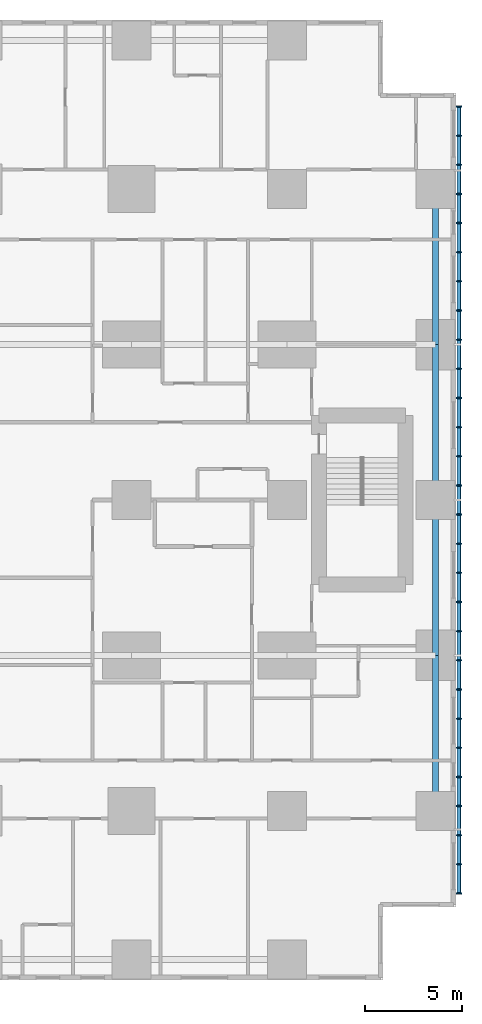
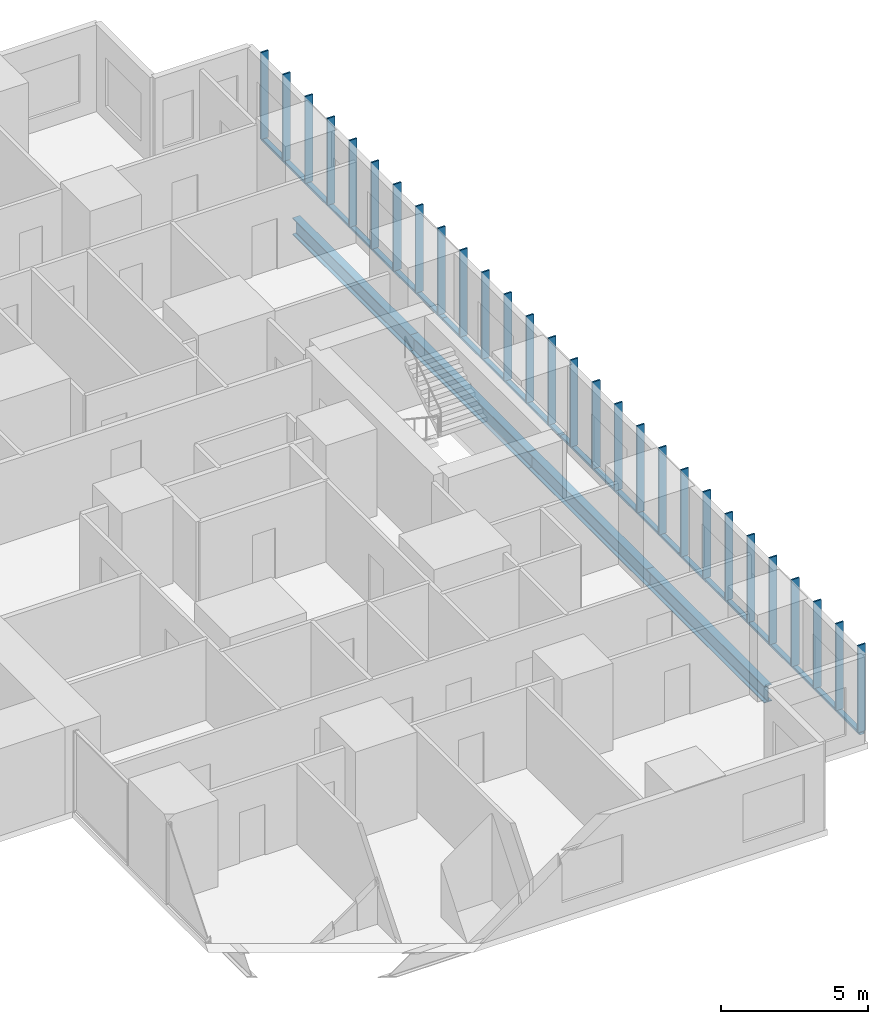
# One storey, part 6 of 20: 32 members, 4 beams.
"""IFC4 building model written with IfcOpenShell, lengths in metres."""

from ifc_helpers import new_model, si_unit, direction, frame, origin, origin_2d, place, context, subcontext, project, spatial, rectangle, hollow_rectangle, i_section, extrude, material, material_profile, profile_set, type_object, element, save


model = new_model("IFC4")

# Units and contexts
model_context = context("Model", 3, precision=1e-05, world=origin(), true_north=direction((0.0, 1.0)))
body_context = subcontext(model_context, "Body", "Model", "MODEL_VIEW")
ifc_project = project(units=[si_unit("LENGTHUNIT", "METRE"), si_unit("AREAUNIT", "SQUARE_METRE"), si_unit("VOLUMEUNIT", "CUBIC_METRE"), si_unit("PLANEANGLEUNIT", "RADIAN"), si_unit("MASSUNIT", "GRAM", prefix="KILO")], contexts=[model_context])

# Site, building, storey
site_placement = place(None, origin())
site = spatial("IfcSite", under=ifc_project, at=site_placement, CompositionType="ELEMENT")
building_placement = place(site_placement, origin())
building = spatial("IfcBuilding", under=site, at=building_placement, Name="Cleftline Residences", CompositionType="ELEMENT")
storey_placement = place(building_placement, frame((0.0, 0.0, 44.0)))
storey = spatial("IfcBuildingStorey", under=building, at=storey_placement, Name="L10", CompositionType="ELEMENT", Elevation=44.0)

# Members
ifc_material_1 = material(Name="Steel S355, hot-dip galvanised", Category="steel")
ifc_material_profile_1 = material_profile(ifc_material_1, hollow_rectangle(XDim=0.10009765625, YDim=0.199951171875, WallThickness=0.008056640625, InnerFilletRadius=0.008056640625, OuterFilletRadius=0.011962890625, at=origin_2d()))
ifc_profile_set_1 = profile_set([ifc_material_profile_1], Name="Steel S355, hot-dip galvanised")
member_type_1 = type_object("IfcMemberType", Name="BAGUETTE CARRIER RHS 200X100X8", PredefinedType="USERDEFINED", material=ifc_profile_set_1)
member_1_placement = place(storey_placement, frame((66.85009765625, 3.699951171875, -0.050048828125), z_axis=(0.0, 1.0, 0.0), x_axis=(0.0, 0.0, 1.0)))
element("IfcMember", 1, at=member_1_placement, inside=storey, type_object=member_type_1, Name="Baguette carrier", ObjectType="BAGUETTE CARRIER", PredefinedType="USERDEFINED", context=body_context, shape_type="SweptSolid", body=[
    extrude(hollow_rectangle(XDim=0.10009765625, YDim=0.199951171875, WallThickness=0.008056640625, InnerFilletRadius=0.008056640625, OuterFilletRadius=0.011962890625, at=origin_2d()), origin(), (0.0, 0.0, 1.0), 12.300048828125),
])
for number, where, z_axis, x_axis, name in (
    (2, (66.85009765625, 16.0, -0.050048828125), (0.0, 1.0, 0.0), (0.0, 0.0, 1.0), "Baguette carrier"),
    (3, (66.85009765625, 24.0, -0.050048828125), (0.0, 1.0, 0.0), (0.0, 0.0, 1.0), "Baguette carrier"),
):
    element("IfcMember", number, at=place(storey_placement, frame(where, z_axis=z_axis, x_axis=x_axis)), inside=storey, type_object=member_type_1, Name=name, ObjectType="BAGUETTE CARRIER", PredefinedType="USERDEFINED", context=body_context, shape_type="SweptSolid", body=[
        extrude(hollow_rectangle(XDim=0.10009765625, YDim=0.199951171875, WallThickness=0.008056640625, InnerFilletRadius=0.008056640625, OuterFilletRadius=0.011962890625, at=origin_2d()), origin(), (0.0, 0.0, 1.0), 8.0),
    ])
member_2_placement = place(storey_placement, frame((66.85009765625, 32.0, -0.050048828125), z_axis=(0.0, 1.0, 0.0), x_axis=(0.0, 0.0, 1.0)))
element("IfcMember", 4, at=member_2_placement, inside=storey, type_object=member_type_1, Name="Baguette carrier", ObjectType="BAGUETTE CARRIER", PredefinedType="USERDEFINED", context=body_context, shape_type="SweptSolid", body=[
    extrude(hollow_rectangle(XDim=0.10009765625, YDim=0.199951171875, WallThickness=0.008056640625, InnerFilletRadius=0.008056640625, OuterFilletRadius=0.011962890625, at=origin_2d()), origin(), (0.0, 0.0, 1.0), 12.300048828125),
])

# Beams
ifc_material_2 = material(Name="Steel S355", Category="steel")
ifc_material_profile_2 = material_profile(ifc_material_2, i_section(OverallWidth=0.300048828125, OverallDepth=0.699951171875, WebThickness=0.01708984375, FlangeThickness=0.031982421875, FilletRadius=0.027099609375, at=origin_2d()))
ifc_profile_set_2 = profile_set([ifc_material_profile_2], Name="Steel S355")
beam_type = type_object("IfcBeamType", Name="BEAM HEB 700", PredefinedType="BEAM", material=ifc_profile_set_2)
for number, where, z_axis, x_axis, name in (
    (5, (65.64990234375, 8.0, -0.60009765625), (0.0, 1.0, 0.0), (-1.0, 0.0, 0.0), "Edge beam"),
    (6, (65.64990234375, 16.0, -0.60009765625), (0.0, 1.0, 0.0), (-1.0, 0.0, 0.0), "Edge beam"),
    (7, (65.64990234375, 24.0, -0.60009765625), (0.0, 1.0, 0.0), (-1.0, 0.0, 0.0), "Edge beam"),
    (8, (65.64990234375, 32.0, -0.60009765625), (0.0, 1.0, 0.0), (-1.0, 0.0, 0.0), "Edge beam"),
):
    element("IfcBeam", number, at=place(storey_placement, frame(where, z_axis=z_axis, x_axis=x_axis)), inside=storey, type_object=beam_type, Name=name, PredefinedType="BEAM", context=body_context, shape_type="SweptSolid", body=[
        extrude(i_section(OverallWidth=0.300048828125, OverallDepth=0.699951171875, WebThickness=0.01708984375, FlangeThickness=0.031982421875, FilletRadius=0.027099609375, at=origin_2d()), origin(), (0.0, 0.0, 1.0), 8.0),
    ])

# Members
ifc_material_3 = material(Name="Extruded terracotta", Category="masonry")
ifc_material_profile_3 = material_profile(ifc_material_3, rectangle(XDim=0.06005859375, YDim=0.300048828125, at=origin_2d()))
ifc_profile_set_3 = profile_set([ifc_material_profile_3], Name="Extruded terracotta")
member_type_2 = type_object("IfcMemberType", Name="TERRACOTTA BAGUETTE 60X300", PredefinedType="USERDEFINED", material=ifc_profile_set_3)
for number, where, z_axis, x_axis, name in (
    (9, (66.85009765625, 3.75, 0.0), (0.0, 0.0, 1.0), (0.0, 1.0, 0.0), "Terracotta baguette"),
    (10, (66.85009765625, 5.25, 0.0), (0.0, 0.0, 1.0), (0.0, 1.0, 0.0), "Terracotta baguette"),
    (11, (66.85009765625, 6.75, 0.0), (0.0, 0.0, 1.0), (0.0, 1.0, 0.0), "Terracotta baguette"),
    (12, (66.85009765625, 8.25, 0.0), (0.0, 0.0, 1.0), (0.0, 1.0, 0.0), "Terracotta baguette"),
    (13, (66.85009765625, 9.75, 0.0), (0.0, 0.0, 1.0), (0.0, 1.0, 0.0), "Terracotta baguette"),
    (14, (66.85009765625, 11.25, 0.0), (0.0, 0.0, 1.0), (0.0, 1.0, 0.0), "Terracotta baguette"),
    (15, (66.85009765625, 12.75, 0.0), (0.0, 0.0, 1.0), (0.0, 1.0, 0.0), "Terracotta baguette"),
    (16, (66.85009765625, 14.25, 0.0), (0.0, 0.0, 1.0), (0.0, 1.0, 0.0), "Terracotta baguette"),
    (17, (66.85009765625, 15.75, 0.0), (0.0, 0.0, 1.0), (0.0, 1.0, 0.0), "Terracotta baguette"),
    (18, (66.85009765625, 17.25, 0.0), (0.0, 0.0, 1.0), (0.0, 1.0, 0.0), "Terracotta baguette"),
    (19, (66.85009765625, 18.75, 0.0), (0.0, 0.0, 1.0), (0.0, 1.0, 0.0), "Terracotta baguette"),
    (20, (66.85009765625, 20.25, 0.0), (0.0, 0.0, 1.0), (0.0, 1.0, 0.0), "Terracotta baguette"),
    (21, (66.85009765625, 21.75, 0.0), (0.0, 0.0, 1.0), (0.0, 1.0, 0.0), "Terracotta baguette"),
    (22, (66.85009765625, 23.25, 0.0), (0.0, 0.0, 1.0), (0.0, 1.0, 0.0), "Terracotta baguette"),
    (23, (66.85009765625, 24.75, 0.0), (0.0, 0.0, 1.0), (0.0, 1.0, 0.0), "Terracotta baguette"),
    (24, (66.85009765625, 26.25, 0.0), (0.0, 0.0, 1.0), (0.0, 1.0, 0.0), "Terracotta baguette"),
    (25, (66.85009765625, 27.75, 0.0), (0.0, 0.0, 1.0), (0.0, 1.0, 0.0), "Terracotta baguette"),
    (26, (66.85009765625, 29.25, 0.0), (0.0, 0.0, 1.0), (0.0, 1.0, 0.0), "Terracotta baguette"),
    (27, (66.85009765625, 30.75, 0.0), (0.0, 0.0, 1.0), (0.0, 1.0, 0.0), "Terracotta baguette"),
    (28, (66.85009765625, 32.25, 0.0), (0.0, 0.0, 1.0), (0.0, 1.0, 0.0), "Terracotta baguette"),
    (29, (66.85009765625, 33.75, 0.0), (0.0, 0.0, 1.0), (0.0, 1.0, 0.0), "Terracotta baguette"),
    (30, (66.85009765625, 35.25, 0.0), (0.0, 0.0, 1.0), (0.0, 1.0, 0.0), "Terracotta baguette"),
    (31, (66.85009765625, 36.75, 0.0), (0.0, 0.0, 1.0), (0.0, 1.0, 0.0), "Terracotta baguette"),
    (32, (66.85009765625, 38.25, 0.0), (0.0, 0.0, 1.0), (0.0, 1.0, 0.0), "Terracotta baguette"),
    (33, (66.85009765625, 39.75, 0.0), (0.0, 0.0, 1.0), (0.0, 1.0, 0.0), "Terracotta baguette"),
    (34, (66.85009765625, 41.25, 0.0), (0.0, 0.0, 1.0), (0.0, 1.0, 0.0), "Terracotta baguette"),
    (35, (66.85009765625, 42.75, 0.0), (0.0, 0.0, 1.0), (0.0, 1.0, 0.0), "Terracotta baguette"),
    (36, (66.85009765625, 44.25, 0.0), (0.0, 0.0, 1.0), (0.0, 1.0, 0.0), "Terracotta baguette"),
):
    element("IfcMember", number, at=place(storey_placement, frame(where, z_axis=z_axis, x_axis=x_axis)), inside=storey, type_object=member_type_2, Name=name, ObjectType="BAGUETTE", PredefinedType="USERDEFINED", context=body_context, shape_type="SweptSolid", body=[
        extrude(rectangle(XDim=0.06005859375, YDim=0.300048828125, at=origin_2d()), origin(), (0.0, 0.0, 1.0), 3.60009765625),
    ])

save(model, "model.ifc")
